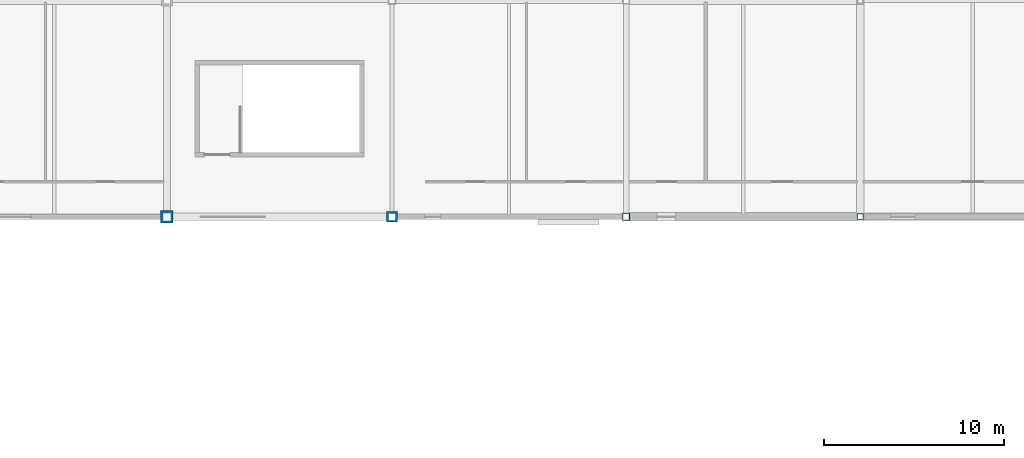
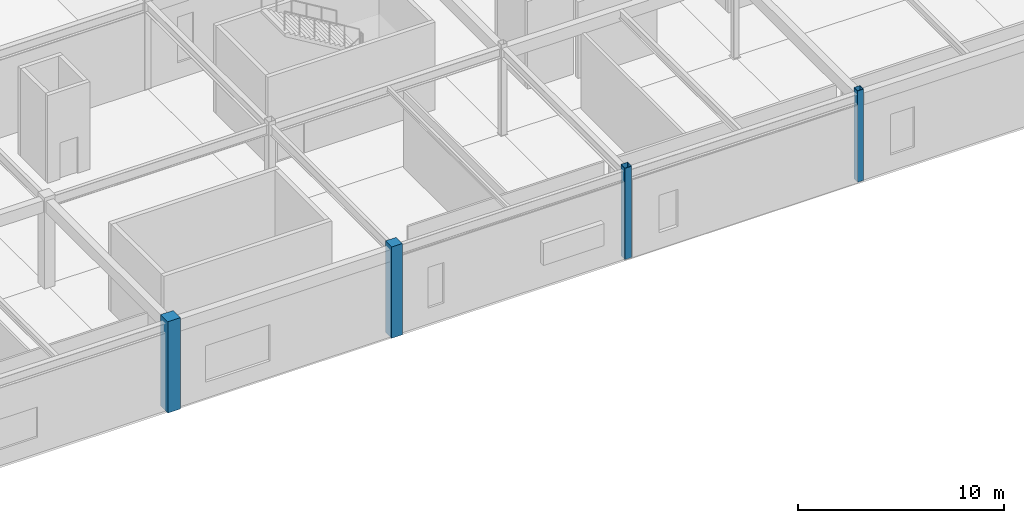
# One storey, part 11 of 105: 4 columns.
"""IFC4 building model written with IfcOpenShell, lengths in metres."""

from ifc_helpers import new_model, si_unit, direction, frame, origin, origin_2d, place, context, subcontext, project, spatial, rectangle, hollow_rectangle, extrude, material, material_profile, profile_set, type_object, element, save


model = new_model("IFC4")

# Units and contexts
model_context = context("Model", 3, precision=1e-05, world=origin(), true_north=direction((0.0, 1.0)))
body_context = subcontext(model_context, "Body", "Model", "MODEL_VIEW")
ifc_project = project(units=[si_unit("LENGTHUNIT", "METRE"), si_unit("AREAUNIT", "SQUARE_METRE"), si_unit("VOLUMEUNIT", "CUBIC_METRE"), si_unit("PLANEANGLEUNIT", "RADIAN"), si_unit("MASSUNIT", "GRAM", prefix="KILO")], contexts=[model_context])

# Site, building, storey
site_placement = place(None, origin())
site = spatial("IfcSite", under=ifc_project, at=site_placement, CompositionType="ELEMENT")
building_placement = place(site_placement, origin())
building = spatial("IfcBuilding", under=site, at=building_placement, Name="Kazenohara Klinker Stadium", CompositionType="ELEMENT")
storey_placement = place(building_placement, frame((0.0, 0.0, 20.39990234375)))
storey = spatial("IfcBuildingStorey", under=building, at=storey_placement, Name="L04", CompositionType="ELEMENT", Elevation=20.39990234375)

# Columns
ifc_material_1 = material(Name="Concrete C40/50", Category="concrete")
ifc_material_profile_1 = material_profile(ifc_material_1, rectangle(XDim=0.699951171875, YDim=0.699951171875, at=origin_2d()), Name="RC-COL-700x700")
ifc_profile_set_1 = profile_set([ifc_material_profile_1], Name="Concrete C40/50")
column_type_1 = type_object("IfcColumnType", Name="COL-RC06", PredefinedType="COLUMN", material=ifc_profile_set_1)
column_1_placement = place(storey_placement, frame((86.5, 132.0, 0.0), z_axis=(0.0, 0.0, 1.0), x_axis=(1.0, 0.0, 0.0)))
element("IfcColumn", 1, at=column_1_placement, inside=storey, type_object=column_type_1, Name="Column C06 L04 8/M", PredefinedType="COLUMN", context=body_context, shape_type="SweptSolid", body=[
    extrude(rectangle(XDim=0.699951171875, YDim=0.699951171875, at=origin_2d()), origin(), (0.0, 0.0, 1.0), 5.400146484375),
])
ifc_material_profile_2 = material_profile(ifc_material_1, rectangle(XDim=0.60009765625, YDim=0.60009765625, at=origin_2d()), Name="RC-COL-600x600")
ifc_profile_set_2 = profile_set([ifc_material_profile_2], Name="Concrete C40/50")
column_type_2 = type_object("IfcColumnType", Name="COL-RC07", PredefinedType="COLUMN", material=ifc_profile_set_2)
column_2_placement = place(storey_placement, frame((99.0, 132.0, 0.0), z_axis=(0.0, 0.0, 1.0), x_axis=(1.0, 0.0, 0.0)))
element("IfcColumn", 2, at=column_2_placement, inside=storey, type_object=column_type_2, Name="Column C07 L04 9/M", PredefinedType="COLUMN", context=body_context, shape_type="SweptSolid", body=[
    extrude(rectangle(XDim=0.60009765625, YDim=0.60009765625, at=origin_2d()), origin(), (0.0, 0.0, 1.0), 5.400146484375),
])
ifc_material_2 = material(Name="Steel S355", Category="steel")
ifc_material_profile_3 = material_profile(ifc_material_2, hollow_rectangle(XDim=0.39990234375, YDim=0.39990234375, WallThickness=0.01611328125, InnerFilletRadius=0.01611328125, OuterFilletRadius=0.031982421875, at=origin_2d()), Name="SHS-400x400x16")
ifc_profile_set_3 = profile_set([ifc_material_profile_3], Name="Steel S355")
column_type_3 = type_object("IfcColumnType", Name="COL-ST01", PredefinedType="COLUMN", material=ifc_profile_set_3)
column_3_placement = place(storey_placement, frame((112.0, 132.0, 0.0), z_axis=(0.0, 0.0, 1.0), x_axis=(1.0, 0.0, 0.0)))
element("IfcColumn", 3, at=column_3_placement, inside=storey, type_object=column_type_3, Name="Column SC01 L04 10/M", PredefinedType="COLUMN", context=body_context, shape_type="SweptSolid", body=[
    extrude(hollow_rectangle(XDim=0.39990234375, YDim=0.39990234375, WallThickness=0.01611328125, InnerFilletRadius=0.01611328125, OuterFilletRadius=0.031982421875, at=origin_2d()), origin(), (0.0, 0.0, 1.0), 5.400146484375),
])
ifc_material_profile_4 = material_profile(ifc_material_2, hollow_rectangle(XDim=0.35009765625, YDim=0.35009765625, WallThickness=0.01611328125, InnerFilletRadius=0.01611328125, OuterFilletRadius=0.031982421875, at=origin_2d()), Name="SHS-350x350x16")
ifc_profile_set_4 = profile_set([ifc_material_profile_4], Name="Steel S355")
column_type_4 = type_object("IfcColumnType", Name="COL-ST02", PredefinedType="COLUMN", material=ifc_profile_set_4)
column_4_placement = place(storey_placement, frame((125.0, 132.0, 0.0), z_axis=(0.0, 0.0, 1.0), x_axis=(1.0, 0.0, 0.0)))
element("IfcColumn", 4, at=column_4_placement, inside=storey, type_object=column_type_4, Name="Column SC02 L04 11/M", PredefinedType="COLUMN", context=body_context, shape_type="SweptSolid", body=[
    extrude(hollow_rectangle(XDim=0.35009765625, YDim=0.35009765625, WallThickness=0.01611328125, InnerFilletRadius=0.01611328125, OuterFilletRadius=0.031982421875, at=origin_2d()), origin(), (0.0, 0.0, 1.0), 5.400146484375),
])

save(model, "model.ifc")
